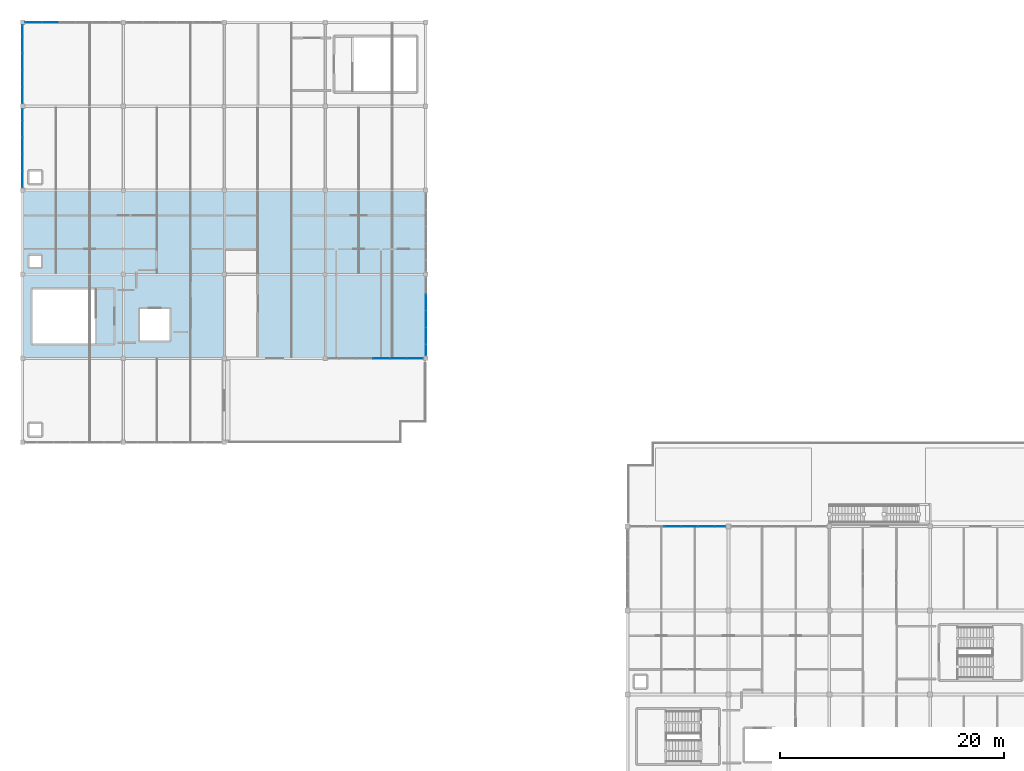
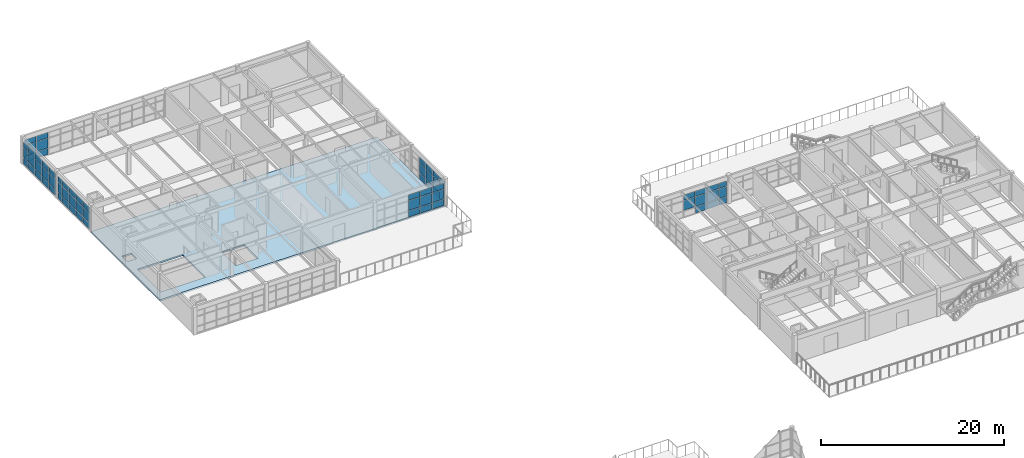
# One storey, part 28 of 45: 68 plates, 1 slab, 6 elements without a shape of their own.
"""IFC4 building model written with IfcOpenShell, lengths in metres."""

from ifc_helpers import new_model, si_unit, direction, frame, origin, origin_2d, place, context, subcontext, project, spatial, polyline, rectangle, outline, extrude, material, layer, layer_set, type_object, element, aggregate, save


model = new_model("IFC4")

# Units and contexts
model_context = context("Model", 3, precision=1e-05, world=origin(), true_north=direction((0.0, 1.0)))
body_context = subcontext(model_context, "Body", "Model", "MODEL_VIEW")
ifc_project = project(units=[si_unit("LENGTHUNIT", "METRE"), si_unit("AREAUNIT", "SQUARE_METRE"), si_unit("VOLUMEUNIT", "CUBIC_METRE"), si_unit("PLANEANGLEUNIT", "RADIAN"), si_unit("MASSUNIT", "GRAM", prefix="KILO")], contexts=[model_context])

# Site, building, storey
site_placement = place(None, origin())
site = spatial("IfcSite", under=ifc_project, at=site_placement, CompositionType="ELEMENT")
building_placement = place(site_placement, origin())
building = spatial("IfcBuilding", under=site, at=building_placement, Name="Marnridge Secondary College", CompositionType="ELEMENT")
storey_placement = place(building_placement, frame((0.0, 0.0, 12.300048828125)))
storey = spatial("IfcBuildingStorey", under=building, at=storey_placement, Name="L03", CompositionType="ELEMENT", Elevation=12.300048828125)

# Curtain wall, plates
ifc_material_1 = material(Name="Thermally broken aluminium and low-E glazing", Category="aluminium")
ifc_layer_1 = layer(ifc_material_1, 0.159912109375)
ifc_layer_set_1 = layer_set([ifc_layer_1], Name="CW-MOD-1500")
curtain_wall_type = type_object("IfcCurtainWallType", Name="CW-MOD-1500", PredefinedType="NOTDEFINED", material=ifc_layer_set_1)
curtain_wall_1_placement = place(storey_placement, origin())
curtain_wall_1 = element("IfcCurtainWall", 1, at=curtain_wall_1_placement, inside=storey, type_object=curtain_wall_type, Name="Unitised curtain wall CW-L03-114", PredefinedType="NOTDEFINED")
ifc_material_2 = material(Name="Double-glazed low-E argon unit", Category="glass")
ifc_layer_2 = layer(ifc_material_2, 0.028076171875)
ifc_layer_set_2 = layer_set([ifc_layer_2], Name="CWP-GLZ28")
plate_type = type_object("IfcPlateType", Name="CWP-GLZ28", PredefinedType="CURTAIN_PANEL", material=ifc_layer_set_2)
plate_1_placement = place(storey_placement, frame((58.009033203125, 75.0, 0.929931640625), z_axis=(0.0, 0.0, 1.0), x_axis=(1.0, 0.0, 0.0)))
plate_1 = element("IfcPlate", 2, at=plate_1_placement, type_object=plate_type, Name="CW-L03-114 panel 3.2", PredefinedType="CURTAIN_PANEL", context=body_context, shape_type="SweptSolid", body=[
    extrude(rectangle(XDim=1.43994140625, YDim=0.028076171875, at=origin_2d()), origin(), (0.0, 0.0, 1.0), 1.2900390625),
])
plate_2_placement = place(storey_placement, frame((58.009033203125, 75.0, 2.280029296875), z_axis=(0.0, 0.0, 1.0), x_axis=(1.0, 0.0, 0.0)))
plate_2 = element("IfcPlate", 3, at=plate_2_placement, type_object=plate_type, Name="CW-L03-114 panel 3.3", PredefinedType="CURTAIN_PANEL", context=body_context, shape_type="SweptSolid", body=[
    extrude(rectangle(XDim=1.43994140625, YDim=0.028076171875, at=origin_2d()), origin(), (0.0, 0.0, 1.0), 0.70703125),
])
plate_3_placement = place(storey_placement, frame((59.509033203125, 75.0, 0.059814453125), z_axis=(0.0, 0.0, 1.0), x_axis=(1.0, 0.0, 0.0)))
plate_3 = element("IfcPlate", 4, at=plate_3_placement, type_object=plate_type, Name="CW-L03-114 panel 4.1", PredefinedType="CURTAIN_PANEL", context=body_context, shape_type="SweptSolid", body=[
    extrude(rectangle(XDim=1.43994140625, YDim=0.028076171875, at=origin_2d()), origin(), (0.0, 0.0, 1.0), 0.81005859375),
])
plate_4_placement = place(storey_placement, frame((59.509033203125, 75.0, 0.929931640625), z_axis=(0.0, 0.0, 1.0), x_axis=(1.0, 0.0, 0.0)))
plate_4 = element("IfcPlate", 5, at=plate_4_placement, type_object=plate_type, Name="CW-L03-114 panel 4.2", PredefinedType="CURTAIN_PANEL", context=body_context, shape_type="SweptSolid", body=[
    extrude(rectangle(XDim=1.43994140625, YDim=0.028076171875, at=origin_2d()), origin(), (0.0, 0.0, 1.0), 1.2900390625),
])
plate_5_placement = place(storey_placement, frame((59.509033203125, 75.0, 2.280029296875), z_axis=(0.0, 0.0, 1.0), x_axis=(1.0, 0.0, 0.0)))
plate_5 = element("IfcPlate", 6, at=plate_5_placement, type_object=plate_type, Name="CW-L03-114 panel 4.3", PredefinedType="CURTAIN_PANEL", context=body_context, shape_type="SweptSolid", body=[
    extrude(rectangle(XDim=1.43994140625, YDim=0.028076171875, at=origin_2d()), origin(), (0.0, 0.0, 1.0), 0.70703125),
])
plate_6_placement = place(storey_placement, frame((61.009033203125, 75.0, 0.059814453125), z_axis=(0.0, 0.0, 1.0), x_axis=(1.0, 0.0, 0.0)))
plate_6 = element("IfcPlate", 7, at=plate_6_placement, type_object=plate_type, Name="CW-L03-114 panel 5.1", PredefinedType="CURTAIN_PANEL", context=body_context, shape_type="SweptSolid", body=[
    extrude(rectangle(XDim=1.43994140625, YDim=0.028076171875, at=origin_2d()), origin(), (0.0, 0.0, 1.0), 0.81005859375),
])
plate_7_placement = place(storey_placement, frame((61.009033203125, 75.0, 0.929931640625), z_axis=(0.0, 0.0, 1.0), x_axis=(1.0, 0.0, 0.0)))
plate_7 = element("IfcPlate", 8, at=plate_7_placement, type_object=plate_type, Name="CW-L03-114 panel 5.2", PredefinedType="CURTAIN_PANEL", context=body_context, shape_type="SweptSolid", body=[
    extrude(rectangle(XDim=1.43994140625, YDim=0.028076171875, at=origin_2d()), origin(), (0.0, 0.0, 1.0), 1.2900390625),
])
plate_8_placement = place(storey_placement, frame((61.009033203125, 75.0, 2.280029296875), z_axis=(0.0, 0.0, 1.0), x_axis=(1.0, 0.0, 0.0)))
plate_8 = element("IfcPlate", 9, at=plate_8_placement, type_object=plate_type, Name="CW-L03-114 panel 5.3", PredefinedType="CURTAIN_PANEL", context=body_context, shape_type="SweptSolid", body=[
    extrude(rectangle(XDim=1.43994140625, YDim=0.028076171875, at=origin_2d()), origin(), (0.0, 0.0, 1.0), 0.70703125),
])
plate_9_placement = place(storey_placement, frame((62.25, 75.0, 0.059814453125), z_axis=(0.0, 0.0, 1.0), x_axis=(1.0, 0.0, 0.0)))
plate_9 = element("IfcPlate", 10, at=plate_9_placement, type_object=plate_type, Name="CW-L03-114 panel 6.1", PredefinedType="CURTAIN_PANEL", context=body_context, shape_type="SweptSolid", body=[
    extrude(rectangle(XDim=0.922119140625, YDim=0.028076171875, at=origin_2d()), origin(), (0.0, 0.0, 1.0), 0.81005859375),
])
plate_10_placement = place(storey_placement, frame((62.25, 75.0, 0.929931640625), z_axis=(0.0, 0.0, 1.0), x_axis=(1.0, 0.0, 0.0)))
plate_10 = element("IfcPlate", 11, at=plate_10_placement, type_object=plate_type, Name="CW-L03-114 panel 6.2", PredefinedType="CURTAIN_PANEL", context=body_context, shape_type="SweptSolid", body=[
    extrude(rectangle(XDim=0.922119140625, YDim=0.028076171875, at=origin_2d()), origin(), (0.0, 0.0, 1.0), 1.2900390625),
])
plate_11_placement = place(storey_placement, frame((62.25, 75.0, 2.280029296875), z_axis=(0.0, 0.0, 1.0), x_axis=(1.0, 0.0, 0.0)))
plate_11 = element("IfcPlate", 12, at=plate_11_placement, type_object=plate_type, Name="CW-L03-114 panel 6.3", PredefinedType="CURTAIN_PANEL", context=body_context, shape_type="SweptSolid", body=[
    extrude(rectangle(XDim=0.922119140625, YDim=0.028076171875, at=origin_2d()), origin(), (0.0, 0.0, 1.0), 0.70703125),
])
aggregate(curtain_wall_1, [plate_1, plate_2, plate_3, plate_4, plate_5, plate_6, plate_7, plate_8, plate_9, plate_10, plate_11])

curtain_wall_2_placement = place(storey_placement, origin())
curtain_wall_2 = element("IfcCurtainWall", 13, at=curtain_wall_2_placement, inside=storey, type_object=curtain_wall_type, Name="Unitised curtain wall CW-L03-118", PredefinedType="NOTDEFINED")
plate_12_placement = place(storey_placement, frame((0.98388671875, 120.0, 0.059814453125), z_axis=(0.0, 0.0, 1.0), x_axis=(1.0, 0.0, 0.0)))
plate_12 = element("IfcPlate", 14, at=plate_12_placement, type_object=plate_type, Name="CW-L03-118 panel 1.1", PredefinedType="CURTAIN_PANEL", context=body_context, shape_type="SweptSolid", body=[
    extrude(rectangle(XDim=1.43994140625, YDim=0.028076171875, at=origin_2d()), origin(), (0.0, 0.0, 1.0), 0.81005859375),
])
plate_13_placement = place(storey_placement, frame((0.98388671875, 120.0, 0.929931640625), z_axis=(0.0, 0.0, 1.0), x_axis=(1.0, 0.0, 0.0)))
plate_13 = element("IfcPlate", 15, at=plate_13_placement, type_object=plate_type, Name="CW-L03-118 panel 1.2", PredefinedType="CURTAIN_PANEL", context=body_context, shape_type="SweptSolid", body=[
    extrude(rectangle(XDim=1.43994140625, YDim=0.028076171875, at=origin_2d()), origin(), (0.0, 0.0, 1.0), 1.2900390625),
])
plate_14_placement = place(storey_placement, frame((0.98388671875, 120.0, 2.27978515625), z_axis=(0.0, 0.0, 1.0), x_axis=(1.0, 0.0, 0.0)))
plate_14 = element("IfcPlate", 16, at=plate_14_placement, type_object=plate_type, Name="CW-L03-118 panel 1.3", PredefinedType="CURTAIN_PANEL", context=body_context, shape_type="SweptSolid", body=[
    extrude(rectangle(XDim=1.43994140625, YDim=0.028076171875, at=origin_2d()), origin(), (0.0, 0.0, 1.0), 0.717041015625),
])
plate_15_placement = place(storey_placement, frame((2.48388671875, 120.0, 0.059814453125), z_axis=(0.0, 0.0, 1.0), x_axis=(1.0, 0.0, 0.0)))
plate_15 = element("IfcPlate", 17, at=plate_15_placement, type_object=plate_type, Name="CW-L03-118 panel 2.1", PredefinedType="CURTAIN_PANEL", context=body_context, shape_type="SweptSolid", body=[
    extrude(rectangle(XDim=1.43994140625, YDim=0.028076171875, at=origin_2d()), origin(), (0.0, 0.0, 1.0), 0.81005859375),
])
plate_16_placement = place(storey_placement, frame((2.48388671875, 120.0, 0.929931640625), z_axis=(0.0, 0.0, 1.0), x_axis=(1.0, 0.0, 0.0)))
plate_16 = element("IfcPlate", 18, at=plate_16_placement, type_object=plate_type, Name="CW-L03-118 panel 2.2", PredefinedType="CURTAIN_PANEL", context=body_context, shape_type="SweptSolid", body=[
    extrude(rectangle(XDim=1.43994140625, YDim=0.028076171875, at=origin_2d()), origin(), (0.0, 0.0, 1.0), 1.2900390625),
])
plate_17_placement = place(storey_placement, frame((2.48388671875, 120.0, 2.27978515625), z_axis=(0.0, 0.0, 1.0), x_axis=(1.0, 0.0, 0.0)))
plate_17 = element("IfcPlate", 19, at=plate_17_placement, type_object=plate_type, Name="CW-L03-118 panel 2.3", PredefinedType="CURTAIN_PANEL", context=body_context, shape_type="SweptSolid", body=[
    extrude(rectangle(XDim=1.43994140625, YDim=0.028076171875, at=origin_2d()), origin(), (0.0, 0.0, 1.0), 0.717041015625),
])
aggregate(curtain_wall_2, [plate_12, plate_13, plate_14, plate_15, plate_16, plate_17])

curtain_wall_3_placement = place(storey_placement, origin())
curtain_wall_3 = element("IfcCurtainWall", 20, at=curtain_wall_3_placement, inside=storey, type_object=curtain_wall_type, Name="Unitised curtain wall CW-L03-121", PredefinedType="NOTDEFINED")
plate_18_placement = place(storey_placement, frame((36.0, 95.01611328125, 0.059814453125), z_axis=(0.0, 0.0, 1.0), x_axis=(0.0, -1.0, 0.0)))
plate_18 = element("IfcPlate", 21, at=plate_18_placement, type_object=plate_type, Name="CW-L03-121 panel 2.1", PredefinedType="CURTAIN_PANEL", context=body_context, shape_type="SweptSolid", body=[
    extrude(rectangle(XDim=1.43994140625, YDim=0.028076171875, at=origin_2d()), origin(), (0.0, 0.0, 1.0), 0.81005859375),
])
plate_19_placement = place(storey_placement, frame((36.0, 95.01611328125, 0.929931640625), z_axis=(0.0, 0.0, 1.0), x_axis=(0.0, -1.0, 0.0)))
plate_19 = element("IfcPlate", 22, at=plate_19_placement, type_object=plate_type, Name="CW-L03-121 panel 2.2", PredefinedType="CURTAIN_PANEL", context=body_context, shape_type="SweptSolid", body=[
    extrude(rectangle(XDim=1.43994140625, YDim=0.028076171875, at=origin_2d()), origin(), (0.0, 0.0, 1.0), 1.2900390625),
])
plate_20_placement = place(storey_placement, frame((36.0, 95.01611328125, 2.27978515625), z_axis=(0.0, 0.0, 1.0), x_axis=(0.0, -1.0, 0.0)))
plate_20 = element("IfcPlate", 23, at=plate_20_placement, type_object=plate_type, Name="CW-L03-121 panel 2.3", PredefinedType="CURTAIN_PANEL", context=body_context, shape_type="SweptSolid", body=[
    extrude(rectangle(XDim=1.43994140625, YDim=0.028076171875, at=origin_2d()), origin(), (0.0, 0.0, 1.0), 0.717041015625),
])
plate_21_placement = place(storey_placement, frame((36.0, 93.51611328125, 0.059814453125), z_axis=(0.0, 0.0, 1.0), x_axis=(0.0, -1.0, 0.0)))
plate_21 = element("IfcPlate", 24, at=plate_21_placement, type_object=plate_type, Name="CW-L03-121 panel 3.1", PredefinedType="CURTAIN_PANEL", context=body_context, shape_type="SweptSolid", body=[
    extrude(rectangle(XDim=1.43994140625, YDim=0.028076171875, at=origin_2d()), origin(), (0.0, 0.0, 1.0), 0.81005859375),
])
plate_22_placement = place(storey_placement, frame((36.0, 93.51611328125, 0.929931640625), z_axis=(0.0, 0.0, 1.0), x_axis=(0.0, -1.0, 0.0)))
plate_22 = element("IfcPlate", 25, at=plate_22_placement, type_object=plate_type, Name="CW-L03-121 panel 3.2", PredefinedType="CURTAIN_PANEL", context=body_context, shape_type="SweptSolid", body=[
    extrude(rectangle(XDim=1.43994140625, YDim=0.028076171875, at=origin_2d()), origin(), (0.0, 0.0, 1.0), 1.2900390625),
])
plate_23_placement = place(storey_placement, frame((36.0, 93.51611328125, 2.27978515625), z_axis=(0.0, 0.0, 1.0), x_axis=(0.0, -1.0, 0.0)))
plate_23 = element("IfcPlate", 26, at=plate_23_placement, type_object=plate_type, Name="CW-L03-121 panel 3.3", PredefinedType="CURTAIN_PANEL", context=body_context, shape_type="SweptSolid", body=[
    extrude(rectangle(XDim=1.43994140625, YDim=0.028076171875, at=origin_2d()), origin(), (0.0, 0.0, 1.0), 0.717041015625),
])
plate_24_placement = place(storey_placement, frame((36.0, 92.01611328125, 0.059814453125), z_axis=(0.0, 0.0, 1.0), x_axis=(0.0, -1.0, 0.0)))
plate_24 = element("IfcPlate", 27, at=plate_24_placement, type_object=plate_type, Name="CW-L03-121 panel 4.1", PredefinedType="CURTAIN_PANEL", context=body_context, shape_type="SweptSolid", body=[
    extrude(rectangle(XDim=1.43994140625, YDim=0.028076171875, at=origin_2d()), origin(), (0.0, 0.0, 1.0), 0.81005859375),
])
plate_25_placement = place(storey_placement, frame((36.0, 92.01611328125, 0.929931640625), z_axis=(0.0, 0.0, 1.0), x_axis=(0.0, -1.0, 0.0)))
plate_25 = element("IfcPlate", 28, at=plate_25_placement, type_object=plate_type, Name="CW-L03-121 panel 4.2", PredefinedType="CURTAIN_PANEL", context=body_context, shape_type="SweptSolid", body=[
    extrude(rectangle(XDim=1.43994140625, YDim=0.028076171875, at=origin_2d()), origin(), (0.0, 0.0, 1.0), 1.2900390625),
])
plate_26_placement = place(storey_placement, frame((36.0, 92.01611328125, 2.27978515625), z_axis=(0.0, 0.0, 1.0), x_axis=(0.0, -1.0, 0.0)))
plate_26 = element("IfcPlate", 29, at=plate_26_placement, type_object=plate_type, Name="CW-L03-121 panel 4.3", PredefinedType="CURTAIN_PANEL", context=body_context, shape_type="SweptSolid", body=[
    extrude(rectangle(XDim=1.43994140625, YDim=0.028076171875, at=origin_2d()), origin(), (0.0, 0.0, 1.0), 0.717041015625),
])
plate_27_placement = place(storey_placement, frame((36.0, 90.75, 0.059814453125), z_axis=(0.0, 0.0, 1.0), x_axis=(0.0, -1.0, 0.0)))
plate_27 = element("IfcPlate", 30, at=plate_27_placement, type_object=plate_type, Name="CW-L03-121 panel 5.1", PredefinedType="CURTAIN_PANEL", context=body_context, shape_type="SweptSolid", body=[
    extrude(rectangle(XDim=0.971923828125, YDim=0.028076171875, at=origin_2d()), origin(), (0.0, 0.0, 1.0), 0.81005859375),
])
plate_28_placement = place(storey_placement, frame((36.0, 90.75, 0.929931640625), z_axis=(0.0, 0.0, 1.0), x_axis=(0.0, -1.0, 0.0)))
plate_28 = element("IfcPlate", 31, at=plate_28_placement, type_object=plate_type, Name="CW-L03-121 panel 5.2", PredefinedType="CURTAIN_PANEL", context=body_context, shape_type="SweptSolid", body=[
    extrude(rectangle(XDim=0.971923828125, YDim=0.028076171875, at=origin_2d()), origin(), (0.0, 0.0, 1.0), 1.2900390625),
])
plate_29_placement = place(storey_placement, frame((36.0, 90.75, 2.27978515625), z_axis=(0.0, 0.0, 1.0), x_axis=(0.0, -1.0, 0.0)))
plate_29 = element("IfcPlate", 32, at=plate_29_placement, type_object=plate_type, Name="CW-L03-121 panel 5.3", PredefinedType="CURTAIN_PANEL", context=body_context, shape_type="SweptSolid", body=[
    extrude(rectangle(XDim=0.971923828125, YDim=0.028076171875, at=origin_2d()), origin(), (0.0, 0.0, 1.0), 0.717041015625),
])
aggregate(curtain_wall_3, [plate_18, plate_19, plate_20, plate_21, plate_22, plate_23, plate_24, plate_25, plate_26, plate_27, plate_28, plate_29])

curtain_wall_4_placement = place(storey_placement, origin())
curtain_wall_4 = element("IfcCurtainWall", 33, at=curtain_wall_4_placement, inside=storey, type_object=curtain_wall_type, Name="Unitised curtain wall CW-L03-122", PredefinedType="NOTDEFINED")
plate_30_placement = place(storey_placement, frame((35.01611328125, 90.0, 0.059814453125), z_axis=(0.0, 0.0, 1.0), x_axis=(-1.0, 0.0, 0.0)))
plate_30 = element("IfcPlate", 34, at=plate_30_placement, type_object=plate_type, Name="CW-L03-122 panel 1.1", PredefinedType="CURTAIN_PANEL", context=body_context, shape_type="SweptSolid", body=[
    extrude(rectangle(XDim=1.43994140625, YDim=0.028076171875, at=origin_2d()), origin(), (0.0, 0.0, 1.0), 0.81005859375),
])
plate_31_placement = place(storey_placement, frame((35.01611328125, 90.0, 0.929931640625), z_axis=(0.0, 0.0, 1.0), x_axis=(-1.0, 0.0, 0.0)))
plate_31 = element("IfcPlate", 35, at=plate_31_placement, type_object=plate_type, Name="CW-L03-122 panel 1.2", PredefinedType="CURTAIN_PANEL", context=body_context, shape_type="SweptSolid", body=[
    extrude(rectangle(XDim=1.43994140625, YDim=0.028076171875, at=origin_2d()), origin(), (0.0, 0.0, 1.0), 1.2900390625),
])
plate_32_placement = place(storey_placement, frame((35.01611328125, 90.0, 2.27978515625), z_axis=(0.0, 0.0, 1.0), x_axis=(-1.0, 0.0, 0.0)))
plate_32 = element("IfcPlate", 36, at=plate_32_placement, type_object=plate_type, Name="CW-L03-122 panel 1.3", PredefinedType="CURTAIN_PANEL", context=body_context, shape_type="SweptSolid", body=[
    extrude(rectangle(XDim=1.43994140625, YDim=0.028076171875, at=origin_2d()), origin(), (0.0, 0.0, 1.0), 0.717041015625),
])
plate_33_placement = place(storey_placement, frame((33.51611328125, 90.0, 0.059814453125), z_axis=(0.0, 0.0, 1.0), x_axis=(-1.0, 0.0, 0.0)))
plate_33 = element("IfcPlate", 37, at=plate_33_placement, type_object=plate_type, Name="CW-L03-122 panel 2.1", PredefinedType="CURTAIN_PANEL", context=body_context, shape_type="SweptSolid", body=[
    extrude(rectangle(XDim=1.43994140625, YDim=0.028076171875, at=origin_2d()), origin(), (0.0, 0.0, 1.0), 0.81005859375),
])
plate_34_placement = place(storey_placement, frame((33.51611328125, 90.0, 0.929931640625), z_axis=(0.0, 0.0, 1.0), x_axis=(-1.0, 0.0, 0.0)))
plate_34 = element("IfcPlate", 38, at=plate_34_placement, type_object=plate_type, Name="CW-L03-122 panel 2.2", PredefinedType="CURTAIN_PANEL", context=body_context, shape_type="SweptSolid", body=[
    extrude(rectangle(XDim=1.43994140625, YDim=0.028076171875, at=origin_2d()), origin(), (0.0, 0.0, 1.0), 1.2900390625),
])
plate_35_placement = place(storey_placement, frame((33.51611328125, 90.0, 2.27978515625), z_axis=(0.0, 0.0, 1.0), x_axis=(-1.0, 0.0, 0.0)))
plate_35 = element("IfcPlate", 39, at=plate_35_placement, type_object=plate_type, Name="CW-L03-122 panel 2.3", PredefinedType="CURTAIN_PANEL", context=body_context, shape_type="SweptSolid", body=[
    extrude(rectangle(XDim=1.43994140625, YDim=0.028076171875, at=origin_2d()), origin(), (0.0, 0.0, 1.0), 0.717041015625),
])
plate_36_placement = place(storey_placement, frame((32.01611328125, 90.0, 0.059814453125), z_axis=(0.0, 0.0, 1.0), x_axis=(-1.0, 0.0, 0.0)))
plate_36 = element("IfcPlate", 40, at=plate_36_placement, type_object=plate_type, Name="CW-L03-122 panel 3.1", PredefinedType="CURTAIN_PANEL", context=body_context, shape_type="SweptSolid", body=[
    extrude(rectangle(XDim=1.43994140625, YDim=0.028076171875, at=origin_2d()), origin(), (0.0, 0.0, 1.0), 0.81005859375),
])
plate_37_placement = place(storey_placement, frame((32.01611328125, 90.0, 0.929931640625), z_axis=(0.0, 0.0, 1.0), x_axis=(-1.0, 0.0, 0.0)))
plate_37 = element("IfcPlate", 41, at=plate_37_placement, type_object=plate_type, Name="CW-L03-122 panel 3.2", PredefinedType="CURTAIN_PANEL", context=body_context, shape_type="SweptSolid", body=[
    extrude(rectangle(XDim=1.43994140625, YDim=0.028076171875, at=origin_2d()), origin(), (0.0, 0.0, 1.0), 1.2900390625),
])
plate_38_placement = place(storey_placement, frame((32.01611328125, 90.0, 2.27978515625), z_axis=(0.0, 0.0, 1.0), x_axis=(-1.0, 0.0, 0.0)))
plate_38 = element("IfcPlate", 42, at=plate_38_placement, type_object=plate_type, Name="CW-L03-122 panel 3.3", PredefinedType="CURTAIN_PANEL", context=body_context, shape_type="SweptSolid", body=[
    extrude(rectangle(XDim=1.43994140625, YDim=0.028076171875, at=origin_2d()), origin(), (0.0, 0.0, 1.0), 0.717041015625),
])
aggregate(curtain_wall_4, [plate_30, plate_31, plate_32, plate_33, plate_34, plate_35, plate_36, plate_37, plate_38])

curtain_wall_5_placement = place(storey_placement, origin())
curtain_wall_5 = element("IfcCurtainWall", 43, at=curtain_wall_5_placement, inside=storey, type_object=curtain_wall_type, Name="Unitised curtain wall CW-L03-125", PredefinedType="NOTDEFINED")
plate_39_placement = place(storey_placement, frame((0.0, 105.98388671875, 0.059814453125), z_axis=(0.0, 0.0, 1.0), x_axis=(0.0, 1.0, 0.0)))
plate_39 = element("IfcPlate", 44, at=plate_39_placement, type_object=plate_type, Name="CW-L03-125 panel 1.1", PredefinedType="CURTAIN_PANEL", context=body_context, shape_type="SweptSolid", body=[
    extrude(rectangle(XDim=1.43994140625, YDim=0.028076171875, at=origin_2d()), origin(), (0.0, 0.0, 1.0), 0.81005859375),
])
plate_40_placement = place(storey_placement, frame((0.0, 105.98388671875, 0.929931640625), z_axis=(0.0, 0.0, 1.0), x_axis=(0.0, 1.0, 0.0)))
plate_40 = element("IfcPlate", 45, at=plate_40_placement, type_object=plate_type, Name="CW-L03-125 panel 1.2", PredefinedType="CURTAIN_PANEL", context=body_context, shape_type="SweptSolid", body=[
    extrude(rectangle(XDim=1.43994140625, YDim=0.028076171875, at=origin_2d()), origin(), (0.0, 0.0, 1.0), 1.2900390625),
])
plate_41_placement = place(storey_placement, frame((0.0, 105.98388671875, 2.27978515625), z_axis=(0.0, 0.0, 1.0), x_axis=(0.0, 1.0, 0.0)))
plate_41 = element("IfcPlate", 46, at=plate_41_placement, type_object=plate_type, Name="CW-L03-125 panel 1.3", PredefinedType="CURTAIN_PANEL", context=body_context, shape_type="SweptSolid", body=[
    extrude(rectangle(XDim=1.43994140625, YDim=0.028076171875, at=origin_2d()), origin(), (0.0, 0.0, 1.0), 0.717041015625),
])
plate_42_placement = place(storey_placement, frame((0.0, 107.48388671875, 0.059814453125), z_axis=(0.0, 0.0, 1.0), x_axis=(0.0, 1.0, 0.0)))
plate_42 = element("IfcPlate", 47, at=plate_42_placement, type_object=plate_type, Name="CW-L03-125 panel 2.1", PredefinedType="CURTAIN_PANEL", context=body_context, shape_type="SweptSolid", body=[
    extrude(rectangle(XDim=1.43994140625, YDim=0.028076171875, at=origin_2d()), origin(), (0.0, 0.0, 1.0), 0.81005859375),
])
plate_43_placement = place(storey_placement, frame((0.0, 107.48388671875, 0.929931640625), z_axis=(0.0, 0.0, 1.0), x_axis=(0.0, 1.0, 0.0)))
plate_43 = element("IfcPlate", 48, at=plate_43_placement, type_object=plate_type, Name="CW-L03-125 panel 2.2", PredefinedType="CURTAIN_PANEL", context=body_context, shape_type="SweptSolid", body=[
    extrude(rectangle(XDim=1.43994140625, YDim=0.028076171875, at=origin_2d()), origin(), (0.0, 0.0, 1.0), 1.2900390625),
])
plate_44_placement = place(storey_placement, frame((0.0, 107.48388671875, 2.27978515625), z_axis=(0.0, 0.0, 1.0), x_axis=(0.0, 1.0, 0.0)))
plate_44 = element("IfcPlate", 49, at=plate_44_placement, type_object=plate_type, Name="CW-L03-125 panel 2.3", PredefinedType="CURTAIN_PANEL", context=body_context, shape_type="SweptSolid", body=[
    extrude(rectangle(XDim=1.43994140625, YDim=0.028076171875, at=origin_2d()), origin(), (0.0, 0.0, 1.0), 0.717041015625),
])
plate_45_placement = place(storey_placement, frame((0.0, 108.98388671875, 0.059814453125), z_axis=(0.0, 0.0, 1.0), x_axis=(0.0, 1.0, 0.0)))
plate_45 = element("IfcPlate", 50, at=plate_45_placement, type_object=plate_type, Name="CW-L03-125 panel 3.1", PredefinedType="CURTAIN_PANEL", context=body_context, shape_type="SweptSolid", body=[
    extrude(rectangle(XDim=1.43994140625, YDim=0.028076171875, at=origin_2d()), origin(), (0.0, 0.0, 1.0), 0.81005859375),
])
plate_46_placement = place(storey_placement, frame((0.0, 108.98388671875, 0.929931640625), z_axis=(0.0, 0.0, 1.0), x_axis=(0.0, 1.0, 0.0)))
plate_46 = element("IfcPlate", 51, at=plate_46_placement, type_object=plate_type, Name="CW-L03-125 panel 3.2", PredefinedType="CURTAIN_PANEL", context=body_context, shape_type="SweptSolid", body=[
    extrude(rectangle(XDim=1.43994140625, YDim=0.028076171875, at=origin_2d()), origin(), (0.0, 0.0, 1.0), 1.2900390625),
])
plate_47_placement = place(storey_placement, frame((0.0, 108.98388671875, 2.27978515625), z_axis=(0.0, 0.0, 1.0), x_axis=(0.0, 1.0, 0.0)))
plate_47 = element("IfcPlate", 52, at=plate_47_placement, type_object=plate_type, Name="CW-L03-125 panel 3.3", PredefinedType="CURTAIN_PANEL", context=body_context, shape_type="SweptSolid", body=[
    extrude(rectangle(XDim=1.43994140625, YDim=0.028076171875, at=origin_2d()), origin(), (0.0, 0.0, 1.0), 0.717041015625),
])
plate_48_placement = place(storey_placement, frame((0.0, 110.48388671875, 0.059814453125), z_axis=(0.0, 0.0, 1.0), x_axis=(0.0, 1.0, 0.0)))
plate_48 = element("IfcPlate", 53, at=plate_48_placement, type_object=plate_type, Name="CW-L03-125 panel 4.1", PredefinedType="CURTAIN_PANEL", context=body_context, shape_type="SweptSolid", body=[
    extrude(rectangle(XDim=1.43994140625, YDim=0.028076171875, at=origin_2d()), origin(), (0.0, 0.0, 1.0), 0.81005859375),
])
plate_49_placement = place(storey_placement, frame((0.0, 110.48388671875, 0.929931640625), z_axis=(0.0, 0.0, 1.0), x_axis=(0.0, 1.0, 0.0)))
plate_49 = element("IfcPlate", 54, at=plate_49_placement, type_object=plate_type, Name="CW-L03-125 panel 4.2", PredefinedType="CURTAIN_PANEL", context=body_context, shape_type="SweptSolid", body=[
    extrude(rectangle(XDim=1.43994140625, YDim=0.028076171875, at=origin_2d()), origin(), (0.0, 0.0, 1.0), 1.2900390625),
])
plate_50_placement = place(storey_placement, frame((0.0, 110.48388671875, 2.27978515625), z_axis=(0.0, 0.0, 1.0), x_axis=(0.0, 1.0, 0.0)))
plate_50 = element("IfcPlate", 55, at=plate_50_placement, type_object=plate_type, Name="CW-L03-125 panel 4.3", PredefinedType="CURTAIN_PANEL", context=body_context, shape_type="SweptSolid", body=[
    extrude(rectangle(XDim=1.43994140625, YDim=0.028076171875, at=origin_2d()), origin(), (0.0, 0.0, 1.0), 0.717041015625),
])
plate_51_placement = place(storey_placement, frame((0.0, 111.75, 0.059814453125), z_axis=(0.0, 0.0, 1.0), x_axis=(0.0, 1.0, 0.0)))
plate_51 = element("IfcPlate", 56, at=plate_51_placement, type_object=plate_type, Name="CW-L03-125 panel 5.1", PredefinedType="CURTAIN_PANEL", context=body_context, shape_type="SweptSolid", body=[
    extrude(rectangle(XDim=0.971923828125, YDim=0.028076171875, at=origin_2d()), origin(), (0.0, 0.0, 1.0), 0.81005859375),
])
plate_52_placement = place(storey_placement, frame((0.0, 111.75, 0.929931640625), z_axis=(0.0, 0.0, 1.0), x_axis=(0.0, 1.0, 0.0)))
plate_52 = element("IfcPlate", 57, at=plate_52_placement, type_object=plate_type, Name="CW-L03-125 panel 5.2", PredefinedType="CURTAIN_PANEL", context=body_context, shape_type="SweptSolid", body=[
    extrude(rectangle(XDim=0.971923828125, YDim=0.028076171875, at=origin_2d()), origin(), (0.0, 0.0, 1.0), 1.2900390625),
])
plate_53_placement = place(storey_placement, frame((0.0, 111.75, 2.27978515625), z_axis=(0.0, 0.0, 1.0), x_axis=(0.0, 1.0, 0.0)))
plate_53 = element("IfcPlate", 58, at=plate_53_placement, type_object=plate_type, Name="CW-L03-125 panel 5.3", PredefinedType="CURTAIN_PANEL", context=body_context, shape_type="SweptSolid", body=[
    extrude(rectangle(XDim=0.971923828125, YDim=0.028076171875, at=origin_2d()), origin(), (0.0, 0.0, 1.0), 0.717041015625),
])
aggregate(curtain_wall_5, [plate_39, plate_40, plate_41, plate_42, plate_43, plate_44, plate_45, plate_46, plate_47, plate_48, plate_49, plate_50, plate_51, plate_52, plate_53])

curtain_wall_6_placement = place(storey_placement, origin())
curtain_wall_6 = element("IfcCurtainWall", 59, at=curtain_wall_6_placement, inside=storey, type_object=curtain_wall_type, Name="Unitised curtain wall CW-L03-126", PredefinedType="NOTDEFINED")
plate_54_placement = place(storey_placement, frame((0.0, 113.48388671875, 0.059814453125), z_axis=(0.0, 0.0, 1.0), x_axis=(0.0, 1.0, 0.0)))
plate_54 = element("IfcPlate", 60, at=plate_54_placement, type_object=plate_type, Name="CW-L03-126 panel 1.1", PredefinedType="CURTAIN_PANEL", context=body_context, shape_type="SweptSolid", body=[
    extrude(rectangle(XDim=1.43994140625, YDim=0.028076171875, at=origin_2d()), origin(), (0.0, 0.0, 1.0), 0.81005859375),
])
plate_55_placement = place(storey_placement, frame((0.0, 113.48388671875, 0.929931640625), z_axis=(0.0, 0.0, 1.0), x_axis=(0.0, 1.0, 0.0)))
plate_55 = element("IfcPlate", 61, at=plate_55_placement, type_object=plate_type, Name="CW-L03-126 panel 1.2", PredefinedType="CURTAIN_PANEL", context=body_context, shape_type="SweptSolid", body=[
    extrude(rectangle(XDim=1.43994140625, YDim=0.028076171875, at=origin_2d()), origin(), (0.0, 0.0, 1.0), 1.2900390625),
])
plate_56_placement = place(storey_placement, frame((0.0, 113.48388671875, 2.27978515625), z_axis=(0.0, 0.0, 1.0), x_axis=(0.0, 1.0, 0.0)))
plate_56 = element("IfcPlate", 62, at=plate_56_placement, type_object=plate_type, Name="CW-L03-126 panel 1.3", PredefinedType="CURTAIN_PANEL", context=body_context, shape_type="SweptSolid", body=[
    extrude(rectangle(XDim=1.43994140625, YDim=0.028076171875, at=origin_2d()), origin(), (0.0, 0.0, 1.0), 0.717041015625),
])
plate_57_placement = place(storey_placement, frame((0.0, 114.98388671875, 0.059814453125), z_axis=(0.0, 0.0, 1.0), x_axis=(0.0, 1.0, 0.0)))
plate_57 = element("IfcPlate", 63, at=plate_57_placement, type_object=plate_type, Name="CW-L03-126 panel 2.1", PredefinedType="CURTAIN_PANEL", context=body_context, shape_type="SweptSolid", body=[
    extrude(rectangle(XDim=1.43994140625, YDim=0.028076171875, at=origin_2d()), origin(), (0.0, 0.0, 1.0), 0.81005859375),
])
plate_58_placement = place(storey_placement, frame((0.0, 114.98388671875, 0.929931640625), z_axis=(0.0, 0.0, 1.0), x_axis=(0.0, 1.0, 0.0)))
plate_58 = element("IfcPlate", 64, at=plate_58_placement, type_object=plate_type, Name="CW-L03-126 panel 2.2", PredefinedType="CURTAIN_PANEL", context=body_context, shape_type="SweptSolid", body=[
    extrude(rectangle(XDim=1.43994140625, YDim=0.028076171875, at=origin_2d()), origin(), (0.0, 0.0, 1.0), 1.2900390625),
])
plate_59_placement = place(storey_placement, frame((0.0, 114.98388671875, 2.27978515625), z_axis=(0.0, 0.0, 1.0), x_axis=(0.0, 1.0, 0.0)))
plate_59 = element("IfcPlate", 65, at=plate_59_placement, type_object=plate_type, Name="CW-L03-126 panel 2.3", PredefinedType="CURTAIN_PANEL", context=body_context, shape_type="SweptSolid", body=[
    extrude(rectangle(XDim=1.43994140625, YDim=0.028076171875, at=origin_2d()), origin(), (0.0, 0.0, 1.0), 0.717041015625),
])
plate_60_placement = place(storey_placement, frame((0.0, 116.48388671875, 0.059814453125), z_axis=(0.0, 0.0, 1.0), x_axis=(0.0, 1.0, 0.0)))
plate_60 = element("IfcPlate", 66, at=plate_60_placement, type_object=plate_type, Name="CW-L03-126 panel 3.1", PredefinedType="CURTAIN_PANEL", context=body_context, shape_type="SweptSolid", body=[
    extrude(rectangle(XDim=1.43994140625, YDim=0.028076171875, at=origin_2d()), origin(), (0.0, 0.0, 1.0), 0.81005859375),
])
plate_61_placement = place(storey_placement, frame((0.0, 116.48388671875, 0.929931640625), z_axis=(0.0, 0.0, 1.0), x_axis=(0.0, 1.0, 0.0)))
plate_61 = element("IfcPlate", 67, at=plate_61_placement, type_object=plate_type, Name="CW-L03-126 panel 3.2", PredefinedType="CURTAIN_PANEL", context=body_context, shape_type="SweptSolid", body=[
    extrude(rectangle(XDim=1.43994140625, YDim=0.028076171875, at=origin_2d()), origin(), (0.0, 0.0, 1.0), 1.2900390625),
])
plate_62_placement = place(storey_placement, frame((0.0, 116.48388671875, 2.27978515625), z_axis=(0.0, 0.0, 1.0), x_axis=(0.0, 1.0, 0.0)))
plate_62 = element("IfcPlate", 68, at=plate_62_placement, type_object=plate_type, Name="CW-L03-126 panel 3.3", PredefinedType="CURTAIN_PANEL", context=body_context, shape_type="SweptSolid", body=[
    extrude(rectangle(XDim=1.43994140625, YDim=0.028076171875, at=origin_2d()), origin(), (0.0, 0.0, 1.0), 0.717041015625),
])
plate_63_placement = place(storey_placement, frame((0.0, 117.98388671875, 0.059814453125), z_axis=(0.0, 0.0, 1.0), x_axis=(0.0, 1.0, 0.0)))
plate_63 = element("IfcPlate", 69, at=plate_63_placement, type_object=plate_type, Name="CW-L03-126 panel 4.1", PredefinedType="CURTAIN_PANEL", context=body_context, shape_type="SweptSolid", body=[
    extrude(rectangle(XDim=1.43994140625, YDim=0.028076171875, at=origin_2d()), origin(), (0.0, 0.0, 1.0), 0.81005859375),
])
plate_64_placement = place(storey_placement, frame((0.0, 117.98388671875, 0.929931640625), z_axis=(0.0, 0.0, 1.0), x_axis=(0.0, 1.0, 0.0)))
plate_64 = element("IfcPlate", 70, at=plate_64_placement, type_object=plate_type, Name="CW-L03-126 panel 4.2", PredefinedType="CURTAIN_PANEL", context=body_context, shape_type="SweptSolid", body=[
    extrude(rectangle(XDim=1.43994140625, YDim=0.028076171875, at=origin_2d()), origin(), (0.0, 0.0, 1.0), 1.2900390625),
])
plate_65_placement = place(storey_placement, frame((0.0, 117.98388671875, 2.27978515625), z_axis=(0.0, 0.0, 1.0), x_axis=(0.0, 1.0, 0.0)))
plate_65 = element("IfcPlate", 71, at=plate_65_placement, type_object=plate_type, Name="CW-L03-126 panel 4.3", PredefinedType="CURTAIN_PANEL", context=body_context, shape_type="SweptSolid", body=[
    extrude(rectangle(XDim=1.43994140625, YDim=0.028076171875, at=origin_2d()), origin(), (0.0, 0.0, 1.0), 0.717041015625),
])
plate_66_placement = place(storey_placement, frame((0.0, 119.25, 0.059814453125), z_axis=(0.0, 0.0, 1.0), x_axis=(0.0, 1.0, 0.0)))
plate_66 = element("IfcPlate", 72, at=plate_66_placement, type_object=plate_type, Name="CW-L03-126 panel 5.1", PredefinedType="CURTAIN_PANEL", context=body_context, shape_type="SweptSolid", body=[
    extrude(rectangle(XDim=0.971923828125, YDim=0.028076171875, at=origin_2d()), origin(), (0.0, 0.0, 1.0), 0.81005859375),
])
plate_67_placement = place(storey_placement, frame((0.0, 119.25, 0.929931640625), z_axis=(0.0, 0.0, 1.0), x_axis=(0.0, 1.0, 0.0)))
plate_67 = element("IfcPlate", 73, at=plate_67_placement, type_object=plate_type, Name="CW-L03-126 panel 5.2", PredefinedType="CURTAIN_PANEL", context=body_context, shape_type="SweptSolid", body=[
    extrude(rectangle(XDim=0.971923828125, YDim=0.028076171875, at=origin_2d()), origin(), (0.0, 0.0, 1.0), 1.2900390625),
])
plate_68_placement = place(storey_placement, frame((0.0, 119.25, 2.27978515625), z_axis=(0.0, 0.0, 1.0), x_axis=(0.0, 1.0, 0.0)))
plate_68 = element("IfcPlate", 74, at=plate_68_placement, type_object=plate_type, Name="CW-L03-126 panel 5.3", PredefinedType="CURTAIN_PANEL", context=body_context, shape_type="SweptSolid", body=[
    extrude(rectangle(XDim=0.971923828125, YDim=0.028076171875, at=origin_2d()), origin(), (0.0, 0.0, 1.0), 0.717041015625),
])
aggregate(curtain_wall_6, [plate_54, plate_55, plate_56, plate_57, plate_58, plate_59, plate_60, plate_61, plate_62, plate_63, plate_64, plate_65, plate_66, plate_67, plate_68])

# Slab
ifc_material_3 = material(Name="Cross-laminated timber CL5", Category="wood")
ifc_layer_3 = layer(ifc_material_3, 0.219970703125)
ifc_layer_set_3 = layer_set([ifc_layer_3], Name="SL-CLT-220")
slab_type = type_object("IfcSlabType", Name="SL-CLT-220", PredefinedType="FLOOR", material=ifc_layer_set_3)
slab_placement = place(storey_placement, frame((0.0, 0.0, -0.219970703125)))
element("IfcSlab", 75, at=slab_placement, inside=storey, type_object=slab_type, Name="Floor slab SL-L03-042", PredefinedType="FLOOR", context=body_context, shape_type="SweptSolid", body=[
    extrude(outline(polyline([(36.0, 90.0), (0.0, 90.0), (0.0, 105.0), (36.0, 105.0), (36.0, 90.0)]), holes=[polyline([(0.800048828125, 91.25), (6.449951171875, 91.25), (6.449951171875, 96.25), (0.800048828125, 96.25), (0.800048828125, 91.25)]), polyline([(10.39990234375, 91.5), (13.199951171875, 91.5), (13.199951171875, 94.5), (10.39990234375, 94.5), (10.39990234375, 91.5)]), polyline([(0.550048828125, 98.050048828125), (1.75, 98.050048828125), (1.75, 99.25), (0.550048828125, 99.25), (0.550048828125, 98.050048828125)])]), origin(), (0.0, 0.0, 1.0), 0.219970703125),
])

save(model, "model.ifc")
